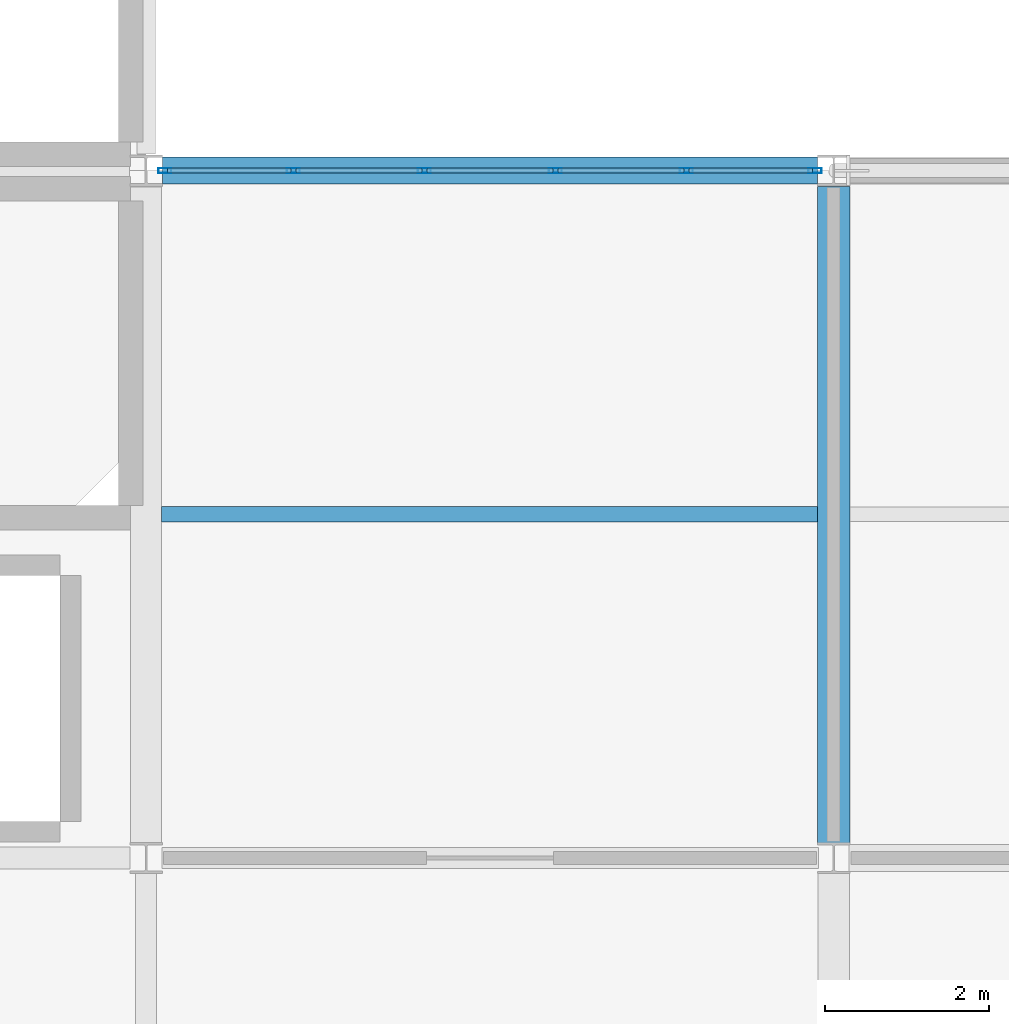
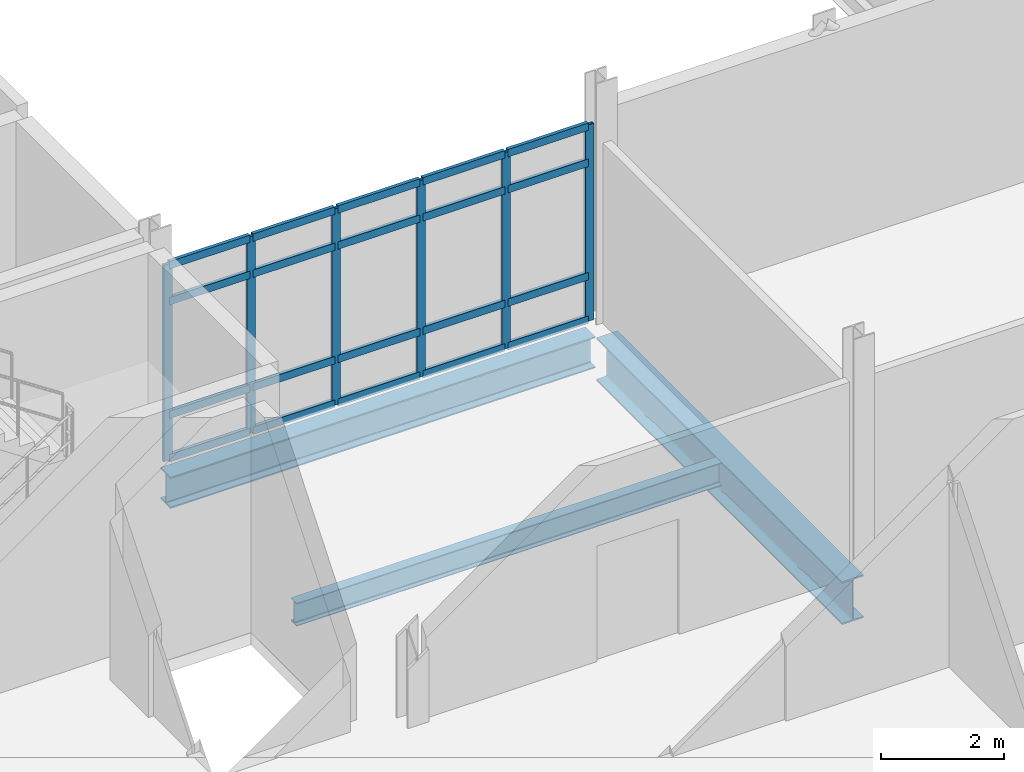
# One storey, part 40 of 186: 26 members, 3 beams, 1 element without a shape of its own.
"""IFC4 building model written with IfcOpenShell, lengths in metres."""

import ifcopenshell
import ifcopenshell.guid

model = None  # the IFC model being written
_history = None  # IfcOwnerHistory: only IFC2X3 demands one
_inside = {}  # id of a spatial element -> (the spatial element, [elements in it])
_under = {}  # id of a project, library or spatial element -> (it, [spatial elements below it])
_declared = {}  # id of a project -> (the project, [libraries it declares])
_typed = {}  # id of a type object -> (the type object, [elements of that type])
_made_of = {}  # id of a material, layer set ... -> (it, [elements and type objects made of it])


def new_model(schema):
    """Start an empty IFC model of exactly this schema.

    Asked for "IFC4X3", IfcOpenShell would pick the latest addendum, in which some entities
    have other attributes; the version numbers below select the first issue.
    IFC2X3 requires an IfcOwnerHistory on every rooted entity: one is made here for all.
    """
    global model, _history
    if schema == "IFC4X3":
        model = ifcopenshell.file(schema_version=(4, 3, 0, 0))
    else:
        model = ifcopenshell.file(schema=schema)
    _inside.clear()
    _under.clear()
    _declared.clear()
    _typed.clear()
    _made_of.clear()
    _history = None
    if model.schema == "IFC2X3":
        org = make("IfcOrganization", Name="unknown")
        user = make(
            "IfcPersonAndOrganization",
            ThePerson=make("IfcPerson", FamilyName="unknown"),
            TheOrganization=org,
        )
        app = make(
            "IfcApplication",
            ApplicationDeveloper=org,
            Version="unknown",
            ApplicationFullName="unknown",
            ApplicationIdentifier="unknown",
        )
        _history = make(
            "IfcOwnerHistory",
            OwningUser=user,
            OwningApplication=app,
            ChangeAction="ADDED",
            CreationDate=0,
        )
    return model


def make(cls, **values):
    """One entity of the class cls with the attributes given. An attribute that is None is left unset."""
    return model.create_entity(
        cls, **{name: value for name, value in values.items() if value is not None}
    )


def rooted(cls, **values):
    """An entity with a GlobalId (a new one), such as an element, a storey or a relation."""
    return make(cls, GlobalId=ifcopenshell.guid.new(), OwnerHistory=_history, **values)


def si_unit(unit_type, name, prefix=None):
    """IfcSIUnit, for example si_unit("LENGTHUNIT", "METRE", prefix="MILLI")."""
    return make("IfcSIUnit", UnitType=unit_type, Prefix=prefix, Name=name)


def assignment(units):
    """IfcUnitAssignment: the units of a project."""
    return None if units is None else make("IfcUnitAssignment", Units=units)


def point(xyz):
    """IfcCartesianPoint."""
    return None if xyz is None else make("IfcCartesianPoint", Coordinates=xyz)


def direction(xyz):
    """IfcDirection."""
    return None if xyz is None else make("IfcDirection", DirectionRatios=xyz)


def frame(location, z_axis=None, x_axis=None):
    """IfcAxis2Placement3D, a coordinate frame: its origin and axes. An axis left out is left unset."""
    return make(
        "IfcAxis2Placement3D",
        Location=point(location),
        Axis=direction(z_axis),
        RefDirection=direction(x_axis),
    )


def frame_2d(location, x_axis=None):
    """IfcAxis2Placement2D, a coordinate frame in the plane: its origin and x axis."""
    return make(
        "IfcAxis2Placement2D", Location=point(location), RefDirection=direction(x_axis)
    )


def origin():
    """The frame at (0, 0, 0) with its axes left unset."""
    return frame((0.0, 0.0, 0.0))


def origin_2d():
    """The frame at (0, 0) in the plane with its x axis left unset."""
    return frame_2d((0.0, 0.0))


def place(relative_to, where):
    """IfcLocalPlacement: puts the frame where relative to a parent placement (None: the world)."""
    return make(
        "IfcLocalPlacement", PlacementRelTo=relative_to, RelativePlacement=where
    )


def context(
    kind, dimensions, precision=None, world=None, true_north=None, identifier=None
):
    """IfcGeometricRepresentationContext, for example the 3D "Model" context."""
    return make(
        "IfcGeometricRepresentationContext",
        ContextIdentifier=identifier,
        ContextType=kind,
        CoordinateSpaceDimension=dimensions,
        Precision=precision,
        WorldCoordinateSystem=world,
        TrueNorth=true_north,
    )


def subcontext(parent, identifier, kind, view, scale=None):
    """IfcGeometricRepresentationSubContext, for example "Body" below "Model"."""
    return make(
        "IfcGeometricRepresentationSubContext",
        ContextIdentifier=identifier,
        ContextType=kind,
        ParentContext=parent,
        TargetScale=scale,
        TargetView=view,
    )


def project(units=None, contexts=None):
    """IfcProject with its units and contexts."""
    return rooted(
        "IfcProject",
        Name="project",
        RepresentationContexts=contexts,
        UnitsInContext=assignment(units),
    )


def spatial(cls, under=None, at=None, **own):
    """A site, building, storey or space (cls), placed at a placement, below another one or the project."""
    s = rooted(cls, ObjectPlacement=at, **own)
    if under is not None:
        _under.setdefault(under.id(), (under, []))[1].append(s)
    return s


def profile(cls, at=None, kind="AREA", **sizes):
    """A parametric profile (cls). Its sizes go by their IFC names, for example OverallWidth=200.0."""
    return make(cls, ProfileType=kind, Position=at, **sizes)


def hollow_rectangle(**sizes):
    """IfcRectangleHollowProfileDef."""
    return profile("IfcRectangleHollowProfileDef", **sizes)


def i_section(**sizes):
    """IfcIShapeProfileDef."""
    return profile("IfcIShapeProfileDef", **sizes)


def extrude(swept, where, along, depth):
    """IfcExtrudedAreaSolid: the profile swept, set in the frame where, extruded along a direction by depth."""
    return make(
        "IfcExtrudedAreaSolid",
        SweptArea=swept,
        Position=where,
        ExtrudedDirection=direction(along),
        Depth=depth,
    )


def shape(context_of_items, identifier, shape_type, items):
    """IfcShapeRepresentation: the items that make up one representation, for example the "Body"."""
    return make(
        "IfcShapeRepresentation",
        ContextOfItems=context_of_items,
        RepresentationIdentifier=identifier,
        RepresentationType=shape_type,
        Items=items,
    )


def material(Name=None, Category=None):
    """IfcMaterial."""
    return make("IfcMaterial", Name=Name, Category=Category)


def layer(
    of_material, thickness, ventilated=None, Name=None, Category=None, Priority=None
):
    """IfcMaterialLayer: one layer of a wall or slab, of a material (None: an air gap)."""
    return make(
        "IfcMaterialLayer",
        Material=of_material,
        LayerThickness=thickness,
        IsVentilated=ventilated,
        Name=Name,
        Category=Category,
        Priority=Priority,
    )


def layer_set(layers, Name=None):
    """IfcMaterialLayerSet."""
    return make("IfcMaterialLayerSet", MaterialLayers=layers, LayerSetName=Name)


def material_profile(
    of_material, cross_section, Name=None, Category=None, Priority=None
):
    """IfcMaterialProfile: a cross section and its material."""
    return make(
        "IfcMaterialProfile",
        Name=Name,
        Material=of_material,
        Profile=cross_section,
        Priority=Priority,
        Category=Category,
    )


def profile_set(profiles, Name=None, composite=None):
    """IfcMaterialProfileSet."""
    return make(
        "IfcMaterialProfileSet",
        Name=Name,
        MaterialProfiles=profiles,
        CompositeProfile=composite,
    )


def made_of(thing, what):
    """Note that an element or type object is made of a material, layer set ...; save() writes the relation."""
    if what is not None:
        _made_of.setdefault(what.id(), (what, []))[1].append(thing)
    return thing


def type_object(cls, material=None, **own):
    """A type object (cls), such as IfcWallType, which elements share."""
    return made_of(rooted(cls, **own), material)


def element(
    cls,
    number,
    at=None,
    inside=None,
    cuts=None,
    type_object=None,
    material=None,
    context=None,
    identifier="Body",
    shape_type=None,
    held_by="IfcProductDefinitionShape",
    body=None,
    shapes=None,
    **own,
):
    """One element of the class cls, such as IfcWall. Its Tag is "e" and its number.

    at: its placement. inside: the storey or other place that contains it. cuts: it is an
    opening in that element (IfcRelVoidsElement). A single representation is given by context,
    identifier, shape_type and body (its items); several are given by shapes. held_by: the class
    of the entity that holds the representations. save() writes the other relations.
    """
    e = rooted(cls, Tag="e%d" % number, ObjectPlacement=at, **own)
    if body is not None:
        shapes = [shape(context, identifier, shape_type, body)]
    if shapes is not None:
        e.Representation = make(held_by, Representations=shapes)
    if inside is not None:
        _inside.setdefault(inside.id(), (inside, []))[1].append(e)
    if cuts is not None:
        rooted(
            "IfcRelVoidsElement", RelatingBuildingElement=cuts, RelatedOpeningElement=e
        )
    if type_object is not None:
        _typed.setdefault(type_object.id(), (type_object, []))[1].append(e)
    return made_of(e, material)


def aggregate(whole, parts):
    """IfcRelAggregates: a whole, such as a stair, and the parts it consists of."""
    return rooted("IfcRelAggregates", RelatingObject=whole, RelatedObjects=parts)


def save(model, path):
    """Write the relations noted so far, then the file.

    IfcRelAggregates (storeys below a building ...), IfcRelContainedInSpatialStructure (elements
    in a storey), IfcRelDefinesByType, IfcRelAssociatesMaterial and IfcRelDeclares: one each for
    every whole, place, type object, material and project.
    """
    for whole, parts in _under.values():
        aggregate(whole, parts)
    for where, things in _inside.values():
        rooted(
            "IfcRelContainedInSpatialStructure",
            RelatedElements=things,
            RelatingStructure=where,
        )
    for kind, things in _typed.values():
        rooted("IfcRelDefinesByType", RelatedObjects=things, RelatingType=kind)
    for what, things in _made_of.values():
        rooted("IfcRelAssociatesMaterial", RelatedObjects=things, RelatingMaterial=what)
    for by, libraries in _declared.values():
        rooted("IfcRelDeclares", RelatingContext=by, RelatedDefinitions=libraries)
    model.write(path)


model = new_model("IFC4")

# Units and contexts
model_context = context("Model", 3, precision=1e-05, world=origin(), true_north=direction((0.0, 1.0)))
body_context = subcontext(model_context, "Body", "Model", "MODEL_VIEW")
ifc_project = project(units=[si_unit("LENGTHUNIT", "METRE"), si_unit("AREAUNIT", "SQUARE_METRE"), si_unit("VOLUMEUNIT", "CUBIC_METRE"), si_unit("PLANEANGLEUNIT", "RADIAN"), si_unit("MASSUNIT", "GRAM", prefix="KILO")], contexts=[model_context])

# Site, building, storey
site_placement = place(None, origin())
site = spatial("IfcSite", under=ifc_project, at=site_placement, CompositionType="ELEMENT")
building_placement = place(site_placement, origin())
building = spatial("IfcBuilding", under=site, at=building_placement, Name="Calvrana Isthmian Art Gallery", CompositionType="ELEMENT")
storey_placement = place(building_placement, frame((0.0, 0.0, 5.39990234375)))
storey = spatial("IfcBuildingStorey", under=building, at=storey_placement, Name="L01", CompositionType="ELEMENT", Elevation=5.39990234375)

# Beams
ifc_material_1 = material(Name="Steel ASTM A992 Gr 50", Category="steel")
ifc_material_profile_1 = material_profile(ifc_material_1, i_section(OverallWidth=0.327880859375, OverallDepth=0.6220703125, WebThickness=0.015380859375, FlangeThickness=0.0244140625, FilletRadius=0.02197265625, at=origin_2d()), Name="W24X131")
ifc_profile_set_1 = profile_set([ifc_material_profile_1], Name="Steel ASTM A992 Gr 50")
beam_type_1 = type_object("IfcBeamType", Name="BM-G-W24X131", PredefinedType="BEAM", material=ifc_profile_set_1)
beam_1_placement = place(storey_placement, frame((38.6005859375, 46.800048828125, -0.555908203125), z_axis=(1.0, 0.0, 0.0), x_axis=(0.0, 1.0, 0.0)))
element("IfcBeam", 1, at=beam_1_placement, inside=storey, type_object=beam_type_1, Name="Girder X L01 06-07/G", PredefinedType="BEAM", context=body_context, shape_type="SweptSolid", body=[
    extrude(i_section(OverallWidth=0.327880859375, OverallDepth=0.6220703125, WebThickness=0.015380859375, FlangeThickness=0.0244140625, FilletRadius=0.02197265625, at=origin_2d()), origin(), (0.0, 0.0, 1.0), 8.0),
])
ifc_material_profile_2 = material_profile(ifc_material_1, i_section(OverallWidth=0.40087890625, OverallDepth=0.85595703125, WebThickness=0.018310546875, FlangeThickness=0.029296875, FilletRadius=0.02587890625, at=origin_2d()), Name="W33X201")
ifc_profile_set_2 = profile_set([ifc_material_profile_2], Name="Steel ASTM A992 Gr 50")
beam_type_2 = type_object("IfcBeamType", Name="BM-G-W33X201", PredefinedType="BEAM", material=ifc_profile_set_2)
beam_2_placement = place(storey_placement, frame((46.800048828125, 38.58642578125, -0.6728515625), z_axis=(0.0, 1.0, 0.0), x_axis=(-1.0, 0.0, 0.0)))
element("IfcBeam", 2, at=beam_2_placement, inside=storey, type_object=beam_type_2, Name="Girder Y L01 07/F-G", PredefinedType="BEAM", context=body_context, shape_type="SweptSolid", body=[
    extrude(i_section(OverallWidth=0.40087890625, OverallDepth=0.85595703125, WebThickness=0.018310546875, FlangeThickness=0.029296875, FilletRadius=0.02587890625, at=origin_2d()), origin(), (0.0, 0.0, 1.0), 8.0205078125),
])
ifc_material_profile_3 = material_profile(ifc_material_1, i_section(OverallWidth=0.19091796875, OverallDepth=0.45703125, WebThickness=0.009033203125, FlangeThickness=0.014404296875, FilletRadius=0.02001953125, at=origin_2d()), Name="W18X50")
ifc_profile_set_3 = profile_set([ifc_material_profile_3], Name="Steel ASTM A992 Gr 50")
beam_type_3 = type_object("IfcBeamType", Name="BM-J-W18X50", PredefinedType="JOIST", material=ifc_profile_set_3)
beam_3_placement = place(storey_placement, frame((38.590576171875, 42.60009765625, -0.473388671875), z_axis=(1.0, 0.0, 0.0), x_axis=(0.0, 1.0, 0.0)))
element("IfcBeam", 3, at=beam_3_placement, inside=storey, type_object=beam_type_3, Name="Composite joist L01 bay 05-05", PredefinedType="JOIST", context=body_context, shape_type="SweptSolid", body=[
    extrude(i_section(OverallWidth=0.19091796875, OverallDepth=0.45703125, WebThickness=0.009033203125, FlangeThickness=0.014404296875, FilletRadius=0.02001953125, at=origin_2d()), origin(), (0.0, 0.0, 1.0), 8.009033203125),
])

# Curtain wall, members
ifc_material_2 = material(Name="Anodized bronze aluminium 6063-T6", Category="aluminium")
ifc_layer = layer(ifc_material_2, 0.179931640625, Name="Anodized bronze aluminium 6063-T6")
ifc_layer_set = layer_set([ifc_layer], Name="Anodized bronze aluminium 6063-T6")
curtain_wall_type = type_object("IfcCurtainWallType", Name="CW-STICK-080X39", PredefinedType="NOTDEFINED", material=ifc_layer_set)
curtain_wall_placement = place(storey_placement, origin())
curtain_wall = element("IfcCurtainWall", 4, at=curtain_wall_placement, inside=storey, type_object=curtain_wall_type, Name="Curtain wall CW-097", PredefinedType="NOTDEFINED")
ifc_material_profile_4 = material_profile(ifc_material_2, hollow_rectangle(XDim=0.06005859375, YDim=0.159912109375, WallThickness=0.00390625, at=origin_2d()), Name="CWM60X160")
ifc_profile_set_4 = profile_set([ifc_material_profile_4], Name="Anodized bronze aluminium 6063-T6")
member_type_1 = type_object("IfcMemberType", Name="CWM-CWM60X160", PredefinedType="MULLION", material=ifc_profile_set_4)
member_1_placement = place(storey_placement, frame((38.62939453125, 46.800048828125, 0.0), z_axis=(0.0, 0.0, 1.0), x_axis=(0.0, 1.0, 0.0)))
member_1 = element("IfcMember", 5, at=member_1_placement, type_object=member_type_1, Name="CW-097 mullion 1", PredefinedType="MULLION", context=body_context, shape_type="SweptSolid", body=[
    extrude(hollow_rectangle(XDim=0.06005859375, YDim=0.159912109375, WallThickness=0.00390625, at=origin_2d()), origin(), (0.0, 0.0, 1.0), 3.908203125),
])
member_2_placement = place(storey_placement, frame((40.199951171875, 46.800048828125, 0.0), z_axis=(0.0, 0.0, 1.0), x_axis=(0.0, 1.0, 0.0)))
member_2 = element("IfcMember", 6, at=member_2_placement, type_object=member_type_1, Name="CW-097 mullion 2", PredefinedType="MULLION", context=body_context, shape_type="SweptSolid", body=[
    extrude(hollow_rectangle(XDim=0.06005859375, YDim=0.159912109375, WallThickness=0.00390625, at=origin_2d()), origin(), (0.0, 0.0, 1.0), 3.908203125),
])
member_3_placement = place(storey_placement, frame((41.800537109375, 46.800048828125, 0.0), z_axis=(0.0, 0.0, 1.0), x_axis=(0.0, 1.0, 0.0)))
member_3 = element("IfcMember", 7, at=member_3_placement, type_object=member_type_1, Name="CW-097 mullion 3", PredefinedType="MULLION", context=body_context, shape_type="SweptSolid", body=[
    extrude(hollow_rectangle(XDim=0.06005859375, YDim=0.159912109375, WallThickness=0.00390625, at=origin_2d()), origin(), (0.0, 0.0, 1.0), 3.908203125),
])
member_4_placement = place(storey_placement, frame((43.40087890625, 46.800048828125, 0.0), z_axis=(0.0, 0.0, 1.0), x_axis=(0.0, 1.0, 0.0)))
member_4 = element("IfcMember", 8, at=member_4_placement, type_object=member_type_1, Name="CW-097 mullion 4", PredefinedType="MULLION", context=body_context, shape_type="SweptSolid", body=[
    extrude(hollow_rectangle(XDim=0.06005859375, YDim=0.159912109375, WallThickness=0.00390625, at=origin_2d()), origin(), (0.0, 0.0, 1.0), 3.908203125),
])
member_5_placement = place(storey_placement, frame((45.00146484375, 46.800048828125, 0.0), z_axis=(0.0, 0.0, 1.0), x_axis=(0.0, 1.0, 0.0)))
member_5 = element("IfcMember", 9, at=member_5_placement, type_object=member_type_1, Name="CW-097 mullion 5", PredefinedType="MULLION", context=body_context, shape_type="SweptSolid", body=[
    extrude(hollow_rectangle(XDim=0.06005859375, YDim=0.159912109375, WallThickness=0.00390625, at=origin_2d()), origin(), (0.0, 0.0, 1.0), 3.908203125),
])
member_6_placement = place(storey_placement, frame((46.572021484375, 46.800048828125, 0.0), z_axis=(0.0, 0.0, 1.0), x_axis=(0.0, 1.0, 0.0)))
member_6 = element("IfcMember", 10, at=member_6_placement, type_object=member_type_1, Name="CW-097 mullion 6", PredefinedType="MULLION", context=body_context, shape_type="SweptSolid", body=[
    extrude(hollow_rectangle(XDim=0.06005859375, YDim=0.159912109375, WallThickness=0.00390625, at=origin_2d()), origin(), (0.0, 0.0, 1.0), 3.908203125),
])
ifc_material_profile_5 = material_profile(ifc_material_2, hollow_rectangle(XDim=0.06494140625, YDim=0.14990234375, WallThickness=0.00390625, at=origin_2d()), Name="CWT65X150")
ifc_profile_set_5 = profile_set([ifc_material_profile_5], Name="Anodized bronze aluminium 6063-T6")
member_type_2 = type_object("IfcMemberType", Name="CWT-CWT65X150", PredefinedType="USERDEFINED", material=ifc_profile_set_5)
member_7_placement = place(storey_placement, frame((38.659423828125, 46.800048828125, 0.03271484375), z_axis=(1.0, 0.0, 0.0), x_axis=(0.0, 1.0, 0.0)))
member_7 = element("IfcMember", 11, at=member_7_placement, type_object=member_type_2, Name="CW-097 transom 1.1", ObjectType="TRANSOM", PredefinedType="USERDEFINED", context=body_context, shape_type="SweptSolid", body=[
    extrude(hollow_rectangle(XDim=0.06494140625, YDim=0.14990234375, WallThickness=0.00390625, at=origin_2d()), origin(), (0.0, 0.0, 1.0), 1.510498046875),
])
member_8_placement = place(storey_placement, frame((38.659423828125, 46.800048828125, 0.900146484375), z_axis=(1.0, 0.0, 0.0), x_axis=(0.0, 1.0, 0.0)))
member_8 = element("IfcMember", 12, at=member_8_placement, type_object=member_type_2, Name="CW-097 transom 1.2", ObjectType="TRANSOM", PredefinedType="USERDEFINED", context=body_context, shape_type="SweptSolid", body=[
    extrude(hollow_rectangle(XDim=0.06494140625, YDim=0.14990234375, WallThickness=0.00390625, at=origin_2d()), origin(), (0.0, 0.0, 1.0), 1.510498046875),
])
member_9_placement = place(storey_placement, frame((38.659423828125, 46.800048828125, 3.158203125), z_axis=(1.0, 0.0, 0.0), x_axis=(0.0, 1.0, 0.0)))
member_9 = element("IfcMember", 13, at=member_9_placement, type_object=member_type_2, Name="CW-097 transom 1.3", ObjectType="TRANSOM", PredefinedType="USERDEFINED", context=body_context, shape_type="SweptSolid", body=[
    extrude(hollow_rectangle(XDim=0.06494140625, YDim=0.14990234375, WallThickness=0.00390625, at=origin_2d()), origin(), (0.0, 0.0, 1.0), 1.510498046875),
])
member_10_placement = place(storey_placement, frame((38.659423828125, 46.800048828125, 3.87548828125), z_axis=(1.0, 0.0, 0.0), x_axis=(0.0, 1.0, 0.0)))
member_10 = element("IfcMember", 14, at=member_10_placement, type_object=member_type_2, Name="CW-097 transom 1.4", ObjectType="TRANSOM", PredefinedType="USERDEFINED", context=body_context, shape_type="SweptSolid", body=[
    extrude(hollow_rectangle(XDim=0.06494140625, YDim=0.14990234375, WallThickness=0.00390625, at=origin_2d()), origin(), (0.0, 0.0, 1.0), 1.510498046875),
])
member_11_placement = place(storey_placement, frame((40.22998046875, 46.800048828125, 0.03271484375), z_axis=(1.0, 0.0, 0.0), x_axis=(0.0, 1.0, 0.0)))
member_11 = element("IfcMember", 15, at=member_11_placement, type_object=member_type_2, Name="CW-097 transom 2.1", ObjectType="TRANSOM", PredefinedType="USERDEFINED", context=body_context, shape_type="SweptSolid", body=[
    extrude(hollow_rectangle(XDim=0.06494140625, YDim=0.14990234375, WallThickness=0.00390625, at=origin_2d()), origin(), (0.0, 0.0, 1.0), 1.54052734375),
])
member_12_placement = place(storey_placement, frame((40.22998046875, 46.800048828125, 0.900146484375), z_axis=(1.0, 0.0, 0.0), x_axis=(0.0, 1.0, 0.0)))
member_12 = element("IfcMember", 16, at=member_12_placement, type_object=member_type_2, Name="CW-097 transom 2.2", ObjectType="TRANSOM", PredefinedType="USERDEFINED", context=body_context, shape_type="SweptSolid", body=[
    extrude(hollow_rectangle(XDim=0.06494140625, YDim=0.14990234375, WallThickness=0.00390625, at=origin_2d()), origin(), (0.0, 0.0, 1.0), 1.54052734375),
])
member_13_placement = place(storey_placement, frame((40.22998046875, 46.800048828125, 3.158203125), z_axis=(1.0, 0.0, 0.0), x_axis=(0.0, 1.0, 0.0)))
member_13 = element("IfcMember", 17, at=member_13_placement, type_object=member_type_2, Name="CW-097 transom 2.3", ObjectType="TRANSOM", PredefinedType="USERDEFINED", context=body_context, shape_type="SweptSolid", body=[
    extrude(hollow_rectangle(XDim=0.06494140625, YDim=0.14990234375, WallThickness=0.00390625, at=origin_2d()), origin(), (0.0, 0.0, 1.0), 1.54052734375),
])
member_14_placement = place(storey_placement, frame((40.22998046875, 46.800048828125, 3.87548828125), z_axis=(1.0, 0.0, 0.0), x_axis=(0.0, 1.0, 0.0)))
member_14 = element("IfcMember", 18, at=member_14_placement, type_object=member_type_2, Name="CW-097 transom 2.4", ObjectType="TRANSOM", PredefinedType="USERDEFINED", context=body_context, shape_type="SweptSolid", body=[
    extrude(hollow_rectangle(XDim=0.06494140625, YDim=0.14990234375, WallThickness=0.00390625, at=origin_2d()), origin(), (0.0, 0.0, 1.0), 1.54052734375),
])
member_15_placement = place(storey_placement, frame((41.83056640625, 46.800048828125, 0.03271484375), z_axis=(1.0, 0.0, 0.0), x_axis=(0.0, 1.0, 0.0)))
member_15 = element("IfcMember", 19, at=member_15_placement, type_object=member_type_2, Name="CW-097 transom 3.1", ObjectType="TRANSOM", PredefinedType="USERDEFINED", context=body_context, shape_type="SweptSolid", body=[
    extrude(hollow_rectangle(XDim=0.06494140625, YDim=0.14990234375, WallThickness=0.00390625, at=origin_2d()), origin(), (0.0, 0.0, 1.0), 1.54052734375),
])
member_16_placement = place(storey_placement, frame((41.83056640625, 46.800048828125, 0.900146484375), z_axis=(1.0, 0.0, 0.0), x_axis=(0.0, 1.0, 0.0)))
member_16 = element("IfcMember", 20, at=member_16_placement, type_object=member_type_2, Name="CW-097 transom 3.2", ObjectType="TRANSOM", PredefinedType="USERDEFINED", context=body_context, shape_type="SweptSolid", body=[
    extrude(hollow_rectangle(XDim=0.06494140625, YDim=0.14990234375, WallThickness=0.00390625, at=origin_2d()), origin(), (0.0, 0.0, 1.0), 1.54052734375),
])
member_17_placement = place(storey_placement, frame((41.83056640625, 46.800048828125, 3.158203125), z_axis=(1.0, 0.0, 0.0), x_axis=(0.0, 1.0, 0.0)))
member_17 = element("IfcMember", 21, at=member_17_placement, type_object=member_type_2, Name="CW-097 transom 3.3", ObjectType="TRANSOM", PredefinedType="USERDEFINED", context=body_context, shape_type="SweptSolid", body=[
    extrude(hollow_rectangle(XDim=0.06494140625, YDim=0.14990234375, WallThickness=0.00390625, at=origin_2d()), origin(), (0.0, 0.0, 1.0), 1.54052734375),
])
member_18_placement = place(storey_placement, frame((41.83056640625, 46.800048828125, 3.87548828125), z_axis=(1.0, 0.0, 0.0), x_axis=(0.0, 1.0, 0.0)))
member_18 = element("IfcMember", 22, at=member_18_placement, type_object=member_type_2, Name="CW-097 transom 3.4", ObjectType="TRANSOM", PredefinedType="USERDEFINED", context=body_context, shape_type="SweptSolid", body=[
    extrude(hollow_rectangle(XDim=0.06494140625, YDim=0.14990234375, WallThickness=0.00390625, at=origin_2d()), origin(), (0.0, 0.0, 1.0), 1.54052734375),
])
member_19_placement = place(storey_placement, frame((43.430908203125, 46.800048828125, 0.03271484375), z_axis=(1.0, 0.0, 0.0), x_axis=(0.0, 1.0, 0.0)))
member_19 = element("IfcMember", 23, at=member_19_placement, type_object=member_type_2, Name="CW-097 transom 4.1", ObjectType="TRANSOM", PredefinedType="USERDEFINED", context=body_context, shape_type="SweptSolid", body=[
    extrude(hollow_rectangle(XDim=0.06494140625, YDim=0.14990234375, WallThickness=0.00390625, at=origin_2d()), origin(), (0.0, 0.0, 1.0), 1.54052734375),
])
member_20_placement = place(storey_placement, frame((43.430908203125, 46.800048828125, 0.900146484375), z_axis=(1.0, 0.0, 0.0), x_axis=(0.0, 1.0, 0.0)))
member_20 = element("IfcMember", 24, at=member_20_placement, type_object=member_type_2, Name="CW-097 transom 4.2", ObjectType="TRANSOM", PredefinedType="USERDEFINED", context=body_context, shape_type="SweptSolid", body=[
    extrude(hollow_rectangle(XDim=0.06494140625, YDim=0.14990234375, WallThickness=0.00390625, at=origin_2d()), origin(), (0.0, 0.0, 1.0), 1.54052734375),
])
member_21_placement = place(storey_placement, frame((43.430908203125, 46.800048828125, 3.158203125), z_axis=(1.0, 0.0, 0.0), x_axis=(0.0, 1.0, 0.0)))
member_21 = element("IfcMember", 25, at=member_21_placement, type_object=member_type_2, Name="CW-097 transom 4.3", ObjectType="TRANSOM", PredefinedType="USERDEFINED", context=body_context, shape_type="SweptSolid", body=[
    extrude(hollow_rectangle(XDim=0.06494140625, YDim=0.14990234375, WallThickness=0.00390625, at=origin_2d()), origin(), (0.0, 0.0, 1.0), 1.54052734375),
])
member_22_placement = place(storey_placement, frame((43.430908203125, 46.800048828125, 3.87548828125), z_axis=(1.0, 0.0, 0.0), x_axis=(0.0, 1.0, 0.0)))
member_22 = element("IfcMember", 26, at=member_22_placement, type_object=member_type_2, Name="CW-097 transom 4.4", ObjectType="TRANSOM", PredefinedType="USERDEFINED", context=body_context, shape_type="SweptSolid", body=[
    extrude(hollow_rectangle(XDim=0.06494140625, YDim=0.14990234375, WallThickness=0.00390625, at=origin_2d()), origin(), (0.0, 0.0, 1.0), 1.54052734375),
])
member_23_placement = place(storey_placement, frame((45.031494140625, 46.800048828125, 0.03271484375), z_axis=(1.0, 0.0, 0.0), x_axis=(0.0, 1.0, 0.0)))
member_23 = element("IfcMember", 27, at=member_23_placement, type_object=member_type_2, Name="CW-097 transom 5.1", ObjectType="TRANSOM", PredefinedType="USERDEFINED", context=body_context, shape_type="SweptSolid", body=[
    extrude(hollow_rectangle(XDim=0.06494140625, YDim=0.14990234375, WallThickness=0.00390625, at=origin_2d()), origin(), (0.0, 0.0, 1.0), 1.510498046875),
])
member_24_placement = place(storey_placement, frame((45.031494140625, 46.800048828125, 0.900146484375), z_axis=(1.0, 0.0, 0.0), x_axis=(0.0, 1.0, 0.0)))
member_24 = element("IfcMember", 28, at=member_24_placement, type_object=member_type_2, Name="CW-097 transom 5.2", ObjectType="TRANSOM", PredefinedType="USERDEFINED", context=body_context, shape_type="SweptSolid", body=[
    extrude(hollow_rectangle(XDim=0.06494140625, YDim=0.14990234375, WallThickness=0.00390625, at=origin_2d()), origin(), (0.0, 0.0, 1.0), 1.510498046875),
])
member_25_placement = place(storey_placement, frame((45.031494140625, 46.800048828125, 3.158203125), z_axis=(1.0, 0.0, 0.0), x_axis=(0.0, 1.0, 0.0)))
member_25 = element("IfcMember", 29, at=member_25_placement, type_object=member_type_2, Name="CW-097 transom 5.3", ObjectType="TRANSOM", PredefinedType="USERDEFINED", context=body_context, shape_type="SweptSolid", body=[
    extrude(hollow_rectangle(XDim=0.06494140625, YDim=0.14990234375, WallThickness=0.00390625, at=origin_2d()), origin(), (0.0, 0.0, 1.0), 1.510498046875),
])
member_26_placement = place(storey_placement, frame((45.031494140625, 46.800048828125, 3.87548828125), z_axis=(1.0, 0.0, 0.0), x_axis=(0.0, 1.0, 0.0)))
member_26 = element("IfcMember", 30, at=member_26_placement, type_object=member_type_2, Name="CW-097 transom 5.4", ObjectType="TRANSOM", PredefinedType="USERDEFINED", context=body_context, shape_type="SweptSolid", body=[
    extrude(hollow_rectangle(XDim=0.06494140625, YDim=0.14990234375, WallThickness=0.00390625, at=origin_2d()), origin(), (0.0, 0.0, 1.0), 1.510498046875),
])
aggregate(curtain_wall, [member_1, member_2, member_3, member_4, member_5, member_6, member_7, member_8, member_9, member_10, member_11, member_12, member_13, member_14, member_15, member_16, member_17, member_18, member_19, member_20, member_21, member_22, member_23, member_24, member_25, member_26])

save(model, "model.ifc")
